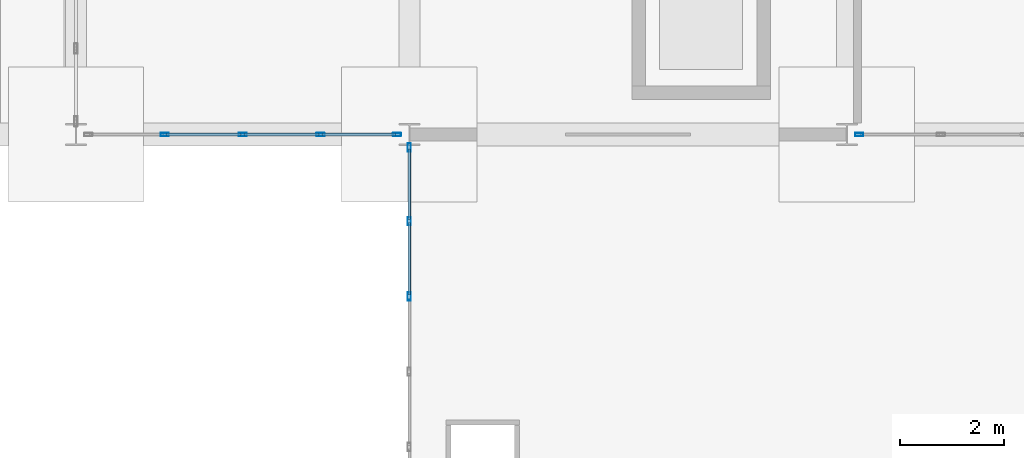
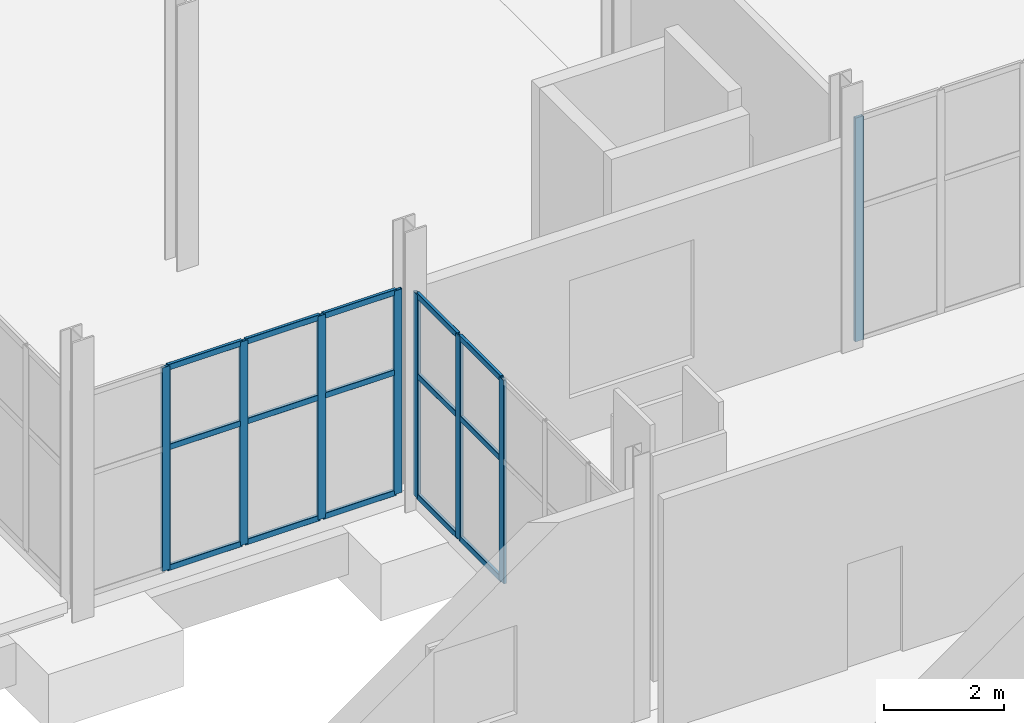
# One storey, part 24 of 95: 23 members, 3 elements without a shape of their own.
"""IFC4 building model written with IfcOpenShell, lengths in metres."""

from ifc_helpers import new_model, si_unit, direction, frame, origin, origin_2d, place, context, subcontext, project, spatial, hollow_rectangle, extrude, material, material_profile, profile_set, type_object, element, aggregate, save


model = new_model("IFC4")

# Units and contexts
model_context = context("Model", 3, precision=1e-05, world=origin(), true_north=direction((0.0, 1.0)))
body_context = subcontext(model_context, "Body", "Model", "MODEL_VIEW")
ifc_project = project(units=[si_unit("LENGTHUNIT", "METRE"), si_unit("AREAUNIT", "SQUARE_METRE"), si_unit("VOLUMEUNIT", "CUBIC_METRE"), si_unit("PLANEANGLEUNIT", "RADIAN"), si_unit("MASSUNIT", "GRAM", prefix="KILO")], contexts=[model_context])

# Site, building, storey
site_placement = place(None, origin())
site = spatial("IfcSite", under=ifc_project, at=site_placement, CompositionType="ELEMENT")
building_placement = place(site_placement, origin())
building = spatial("IfcBuilding", under=site, at=building_placement, Name="Shengluoqiao Park Theatre", CompositionType="ELEMENT")
storey_placement = place(building_placement, origin())
storey = spatial("IfcBuildingStorey", under=building, at=storey_placement, Name="L00", CompositionType="ELEMENT", Elevation=0.0)

# Curtain wall, members
ifc_material = material(Name="Aluminium 6063-T6", Category="aluminium")
curtain_wall_type_1 = type_object("IfcCurtainWallType", Name="ENV-CW-STUDIO", PredefinedType="NOTDEFINED", material=ifc_material)
curtain_wall_1_placement = place(storey_placement, origin())
curtain_wall_1 = element("IfcCurtainWall", 1, at=curtain_wall_1_placement, inside=storey, type_object=curtain_wall_type_1, Name="L00 Curtain Wall CWX-L00-0011", PredefinedType="NOTDEFINED")
ifc_material_profile_1 = material_profile(ifc_material, hollow_rectangle(XDim=0.06005859375, YDim=0.159912109375, WallThickness=0.00390625, InnerFilletRadius=0.00390625, OuterFilletRadius=0.008056640625, at=origin_2d()), Name="ALU MULLION 160x60x4")
ifc_profile_set_1 = profile_set([ifc_material_profile_1], Name="Aluminium 6063-T6")
member_type_1 = type_object("IfcMemberType", Name="ENV-MUL-160", PredefinedType="MULLION", material=ifc_profile_set_1)
member_1_placement = place(storey_placement, frame((14.503662109375, 30.39990234375, 0.0), z_axis=(0.0, 0.0, 1.0), x_axis=(0.0, 1.0, 0.0)))
member_1 = element("IfcMember", 2, at=member_1_placement, type_object=member_type_1, Name="CW-02 mullion 2", PredefinedType="MULLION", context=body_context, shape_type="SweptSolid", body=[
    extrude(hollow_rectangle(XDim=0.06005859375, YDim=0.159912109375, WallThickness=0.00390625, InnerFilletRadius=0.00390625, OuterFilletRadius=0.008056640625, at=origin_2d()), origin(), (0.0, 0.0, 1.0), 4.137939453125),
])
member_2_placement = place(storey_placement, frame((16.0, 30.39990234375, 0.0), z_axis=(0.0, 0.0, 1.0), x_axis=(0.0, 1.0, 0.0)))
member_2 = element("IfcMember", 3, at=member_2_placement, type_object=member_type_1, Name="CW-02 mullion 3", PredefinedType="MULLION", context=body_context, shape_type="SweptSolid", body=[
    extrude(hollow_rectangle(XDim=0.06005859375, YDim=0.159912109375, WallThickness=0.00390625, InnerFilletRadius=0.00390625, OuterFilletRadius=0.008056640625, at=origin_2d()), origin(), (0.0, 0.0, 1.0), 4.137939453125),
])
member_3_placement = place(storey_placement, frame((17.496337890625, 30.39990234375, 0.0), z_axis=(0.0, 0.0, 1.0), x_axis=(0.0, 1.0, 0.0)))
member_3 = element("IfcMember", 4, at=member_3_placement, type_object=member_type_1, Name="CW-02 mullion 4", PredefinedType="MULLION", context=body_context, shape_type="SweptSolid", body=[
    extrude(hollow_rectangle(XDim=0.06005859375, YDim=0.159912109375, WallThickness=0.00390625, InnerFilletRadius=0.00390625, OuterFilletRadius=0.008056640625, at=origin_2d()), origin(), (0.0, 0.0, 1.0), 4.137939453125),
])
member_4_placement = place(storey_placement, frame((18.96240234375, 30.39990234375, 0.0), z_axis=(0.0, 0.0, 1.0), x_axis=(0.0, 1.0, 0.0)))
member_4 = element("IfcMember", 5, at=member_4_placement, type_object=member_type_1, Name="CW-02 mullion 5", PredefinedType="MULLION", context=body_context, shape_type="SweptSolid", body=[
    extrude(hollow_rectangle(XDim=0.06005859375, YDim=0.159912109375, WallThickness=0.00390625, InnerFilletRadius=0.00390625, OuterFilletRadius=0.008056640625, at=origin_2d()), origin(), (0.0, 0.0, 1.0), 4.137939453125),
])

# Curtain wall, member
curtain_wall_2_placement = place(storey_placement, origin())
curtain_wall_2 = element("IfcCurtainWall", 6, at=curtain_wall_2_placement, inside=storey, type_object=curtain_wall_type_1, Name="L00 Curtain Wall CWX-L00-0012", PredefinedType="NOTDEFINED")
member_5_placement = place(storey_placement, frame((27.83740234375, 30.39990234375, 0.0), z_axis=(0.0, 0.0, 1.0), x_axis=(0.0, 1.0, 0.0)))
member_5 = element("IfcMember", 7, at=member_5_placement, type_object=member_type_1, Name="CW-02 mullion 1", PredefinedType="MULLION", context=body_context, shape_type="SweptSolid", body=[
    extrude(hollow_rectangle(XDim=0.06005859375, YDim=0.159912109375, WallThickness=0.00390625, InnerFilletRadius=0.00390625, OuterFilletRadius=0.008056640625, at=origin_2d()), origin(), (0.0, 0.0, 1.0), 4.550048828125),
])
aggregate(curtain_wall_2, [member_5])

# Curtain wall, members
curtain_wall_type_2 = type_object("IfcCurtainWallType", Name="ENV-CW-COURT", PredefinedType="NOTDEFINED", material=ifc_material)
curtain_wall_3_placement = place(storey_placement, origin())
curtain_wall_3 = element("IfcCurtainWall", 8, at=curtain_wall_3_placement, inside=storey, type_object=curtain_wall_type_2, Name="L00 Curtain Wall CWX-L00-0153", PredefinedType="NOTDEFINED")
member_6_placement = place(storey_placement, frame((19.199951171875, 27.290771484375, 0.0), z_axis=(0.0, 0.0, 1.0), x_axis=(-1.0, 0.0, 0.0)))
member_6 = element("IfcMember", 9, at=member_6_placement, type_object=member_type_1, Name="CW-05 mullion 4", PredefinedType="MULLION", context=body_context, shape_type="SweptSolid", body=[
    extrude(hollow_rectangle(XDim=0.06005859375, YDim=0.159912109375, WallThickness=0.00390625, InnerFilletRadius=0.00390625, OuterFilletRadius=0.008056640625, at=origin_2d()), origin(), (0.0, 0.0, 1.0), 4.137939453125),
])
member_7_placement = place(storey_placement, frame((19.199951171875, 28.736328125, 0.0), z_axis=(0.0, 0.0, 1.0), x_axis=(-1.0, 0.0, 0.0)))
member_7 = element("IfcMember", 10, at=member_7_placement, type_object=member_type_1, Name="CW-05 mullion 5", PredefinedType="MULLION", context=body_context, shape_type="SweptSolid", body=[
    extrude(hollow_rectangle(XDim=0.06005859375, YDim=0.159912109375, WallThickness=0.00390625, InnerFilletRadius=0.00390625, OuterFilletRadius=0.008056640625, at=origin_2d()), origin(), (0.0, 0.0, 1.0), 4.137939453125),
])
member_8_placement = place(storey_placement, frame((19.199951171875, 30.152099609375, 0.0), z_axis=(0.0, 0.0, 1.0), x_axis=(-1.0, 0.0, 0.0)))
member_8 = element("IfcMember", 11, at=member_8_placement, type_object=member_type_1, Name="CW-05 mullion 6", PredefinedType="MULLION", context=body_context, shape_type="SweptSolid", body=[
    extrude(hollow_rectangle(XDim=0.06005859375, YDim=0.159912109375, WallThickness=0.00390625, InnerFilletRadius=0.00390625, OuterFilletRadius=0.008056640625, at=origin_2d()), origin(), (0.0, 0.0, 1.0), 4.137939453125),
])

# Member
ifc_material_profile_2 = material_profile(ifc_material, hollow_rectangle(XDim=0.06005859375, YDim=0.1201171875, WallThickness=0.00390625, InnerFilletRadius=0.00390625, OuterFilletRadius=0.008056640625, at=origin_2d()), Name="ALU TRANSOM 120x60x4")
ifc_profile_set_2 = profile_set([ifc_material_profile_2], Name="Aluminium 6063-T6")
member_type_2 = type_object("IfcMemberType", Name="ENV-TRN-120", PredefinedType="USERDEFINED", material=ifc_profile_set_2)
member_9_placement = place(storey_placement, frame((14.53369140625, 30.39990234375, 0.030029296875), z_axis=(1.0, 0.0, 0.0), x_axis=(0.0, 1.0, 0.0)))
member_9 = element("IfcMember", 12, at=member_9_placement, type_object=member_type_2, Name="CW-02 transom 2.1", ObjectType="TRANSOM", PredefinedType="USERDEFINED", context=body_context, shape_type="SweptSolid", body=[
    extrude(hollow_rectangle(XDim=0.06005859375, YDim=0.1201171875, WallThickness=0.00390625, InnerFilletRadius=0.00390625, OuterFilletRadius=0.008056640625, at=origin_2d()), origin(), (0.0, 0.0, 1.0), 1.436279296875),
])

member_10_placement = place(storey_placement, frame((14.53369140625, 30.39990234375, 2.48291015625), z_axis=(1.0, 0.0, 0.0), x_axis=(0.0, 1.0, 0.0)))
member_10 = element("IfcMember", 13, at=member_10_placement, type_object=member_type_2, Name="CW-02 transom 2.2", ObjectType="TRANSOM", PredefinedType="USERDEFINED", context=body_context, shape_type="SweptSolid", body=[
    extrude(hollow_rectangle(XDim=0.06005859375, YDim=0.1201171875, WallThickness=0.00390625, InnerFilletRadius=0.00390625, OuterFilletRadius=0.008056640625, at=origin_2d()), origin(), (0.0, 0.0, 1.0), 1.436279296875),
])

member_11_placement = place(storey_placement, frame((14.53369140625, 30.39990234375, 4.10791015625), z_axis=(1.0, 0.0, 0.0), x_axis=(0.0, 1.0, 0.0)))
member_11 = element("IfcMember", 14, at=member_11_placement, type_object=member_type_2, Name="CW-02 transom 2.3", ObjectType="TRANSOM", PredefinedType="USERDEFINED", context=body_context, shape_type="SweptSolid", body=[
    extrude(hollow_rectangle(XDim=0.06005859375, YDim=0.1201171875, WallThickness=0.00390625, InnerFilletRadius=0.00390625, OuterFilletRadius=0.008056640625, at=origin_2d()), origin(), (0.0, 0.0, 1.0), 1.436279296875),
])

member_12_placement = place(storey_placement, frame((16.030029296875, 30.39990234375, 0.030029296875), z_axis=(1.0, 0.0, 0.0), x_axis=(0.0, 1.0, 0.0)))
member_12 = element("IfcMember", 15, at=member_12_placement, type_object=member_type_2, Name="CW-02 transom 3.1", ObjectType="TRANSOM", PredefinedType="USERDEFINED", context=body_context, shape_type="SweptSolid", body=[
    extrude(hollow_rectangle(XDim=0.06005859375, YDim=0.1201171875, WallThickness=0.00390625, InnerFilletRadius=0.00390625, OuterFilletRadius=0.008056640625, at=origin_2d()), origin(), (0.0, 0.0, 1.0), 1.436279296875),
])

member_13_placement = place(storey_placement, frame((16.030029296875, 30.39990234375, 2.48291015625), z_axis=(1.0, 0.0, 0.0), x_axis=(0.0, 1.0, 0.0)))
member_13 = element("IfcMember", 16, at=member_13_placement, type_object=member_type_2, Name="CW-02 transom 3.2", ObjectType="TRANSOM", PredefinedType="USERDEFINED", context=body_context, shape_type="SweptSolid", body=[
    extrude(hollow_rectangle(XDim=0.06005859375, YDim=0.1201171875, WallThickness=0.00390625, InnerFilletRadius=0.00390625, OuterFilletRadius=0.008056640625, at=origin_2d()), origin(), (0.0, 0.0, 1.0), 1.436279296875),
])

member_14_placement = place(storey_placement, frame((16.030029296875, 30.39990234375, 4.10791015625), z_axis=(1.0, 0.0, 0.0), x_axis=(0.0, 1.0, 0.0)))
member_14 = element("IfcMember", 17, at=member_14_placement, type_object=member_type_2, Name="CW-02 transom 3.3", ObjectType="TRANSOM", PredefinedType="USERDEFINED", context=body_context, shape_type="SweptSolid", body=[
    extrude(hollow_rectangle(XDim=0.06005859375, YDim=0.1201171875, WallThickness=0.00390625, InnerFilletRadius=0.00390625, OuterFilletRadius=0.008056640625, at=origin_2d()), origin(), (0.0, 0.0, 1.0), 1.436279296875),
])

member_15_placement = place(storey_placement, frame((17.5263671875, 30.39990234375, 0.030029296875), z_axis=(1.0, 0.0, 0.0), x_axis=(0.0, 1.0, 0.0)))
member_15 = element("IfcMember", 18, at=member_15_placement, type_object=member_type_2, Name="CW-02 transom 4.1", ObjectType="TRANSOM", PredefinedType="USERDEFINED", context=body_context, shape_type="SweptSolid", body=[
    extrude(hollow_rectangle(XDim=0.06005859375, YDim=0.1201171875, WallThickness=0.00390625, InnerFilletRadius=0.00390625, OuterFilletRadius=0.008056640625, at=origin_2d()), origin(), (0.0, 0.0, 1.0), 1.40625),
])

member_16_placement = place(storey_placement, frame((17.5263671875, 30.39990234375, 2.48291015625), z_axis=(1.0, 0.0, 0.0), x_axis=(0.0, 1.0, 0.0)))
member_16 = element("IfcMember", 19, at=member_16_placement, type_object=member_type_2, Name="CW-02 transom 4.2", ObjectType="TRANSOM", PredefinedType="USERDEFINED", context=body_context, shape_type="SweptSolid", body=[
    extrude(hollow_rectangle(XDim=0.06005859375, YDim=0.1201171875, WallThickness=0.00390625, InnerFilletRadius=0.00390625, OuterFilletRadius=0.008056640625, at=origin_2d()), origin(), (0.0, 0.0, 1.0), 1.40625),
])

member_17_placement = place(storey_placement, frame((17.5263671875, 30.39990234375, 4.10791015625), z_axis=(1.0, 0.0, 0.0), x_axis=(0.0, 1.0, 0.0)))
member_17 = element("IfcMember", 20, at=member_17_placement, type_object=member_type_2, Name="CW-02 transom 4.3", ObjectType="TRANSOM", PredefinedType="USERDEFINED", context=body_context, shape_type="SweptSolid", body=[
    extrude(hollow_rectangle(XDim=0.06005859375, YDim=0.1201171875, WallThickness=0.00390625, InnerFilletRadius=0.00390625, OuterFilletRadius=0.008056640625, at=origin_2d()), origin(), (0.0, 0.0, 1.0), 1.40625),
])

aggregate(curtain_wall_1, [member_1, member_2, member_3, member_4, member_9, member_10, member_11, member_12, member_13, member_14, member_15, member_16, member_17])

member_18_placement = place(storey_placement, frame((19.199951171875, 27.32080078125, 0.030029296875), z_axis=(0.0, 1.0, 0.0), x_axis=(-1.0, 0.0, 0.0)))
member_18 = element("IfcMember", 21, at=member_18_placement, type_object=member_type_2, Name="CW-05 transom 4.1", ObjectType="TRANSOM", PredefinedType="USERDEFINED", context=body_context, shape_type="SweptSolid", body=[
    extrude(hollow_rectangle(XDim=0.06005859375, YDim=0.1201171875, WallThickness=0.00390625, InnerFilletRadius=0.00390625, OuterFilletRadius=0.008056640625, at=origin_2d()), origin(), (0.0, 0.0, 1.0), 1.385498046875),
])

member_19_placement = place(storey_placement, frame((19.199951171875, 27.32080078125, 2.48291015625), z_axis=(0.0, 1.0, 0.0), x_axis=(-1.0, 0.0, 0.0)))
member_19 = element("IfcMember", 22, at=member_19_placement, type_object=member_type_2, Name="CW-05 transom 4.2", ObjectType="TRANSOM", PredefinedType="USERDEFINED", context=body_context, shape_type="SweptSolid", body=[
    extrude(hollow_rectangle(XDim=0.06005859375, YDim=0.1201171875, WallThickness=0.00390625, InnerFilletRadius=0.00390625, OuterFilletRadius=0.008056640625, at=origin_2d()), origin(), (0.0, 0.0, 1.0), 1.385498046875),
])

member_20_placement = place(storey_placement, frame((19.199951171875, 27.32080078125, 4.10791015625), z_axis=(0.0, 1.0, 0.0), x_axis=(-1.0, 0.0, 0.0)))
member_20 = element("IfcMember", 23, at=member_20_placement, type_object=member_type_2, Name="CW-05 transom 4.3", ObjectType="TRANSOM", PredefinedType="USERDEFINED", context=body_context, shape_type="SweptSolid", body=[
    extrude(hollow_rectangle(XDim=0.06005859375, YDim=0.1201171875, WallThickness=0.00390625, InnerFilletRadius=0.00390625, OuterFilletRadius=0.008056640625, at=origin_2d()), origin(), (0.0, 0.0, 1.0), 1.385498046875),
])

member_21_placement = place(storey_placement, frame((19.199951171875, 28.766357421875, 0.030029296875), z_axis=(0.0, 1.0, 0.0), x_axis=(-1.0, 0.0, 0.0)))
member_21 = element("IfcMember", 24, at=member_21_placement, type_object=member_type_2, Name="CW-05 transom 5.1", ObjectType="TRANSOM", PredefinedType="USERDEFINED", context=body_context, shape_type="SweptSolid", body=[
    extrude(hollow_rectangle(XDim=0.06005859375, YDim=0.1201171875, WallThickness=0.00390625, InnerFilletRadius=0.00390625, OuterFilletRadius=0.008056640625, at=origin_2d()), origin(), (0.0, 0.0, 1.0), 1.355712890625),
])

member_22_placement = place(storey_placement, frame((19.199951171875, 28.766357421875, 2.48291015625), z_axis=(0.0, 1.0, 0.0), x_axis=(-1.0, 0.0, 0.0)))
member_22 = element("IfcMember", 25, at=member_22_placement, type_object=member_type_2, Name="CW-05 transom 5.2", ObjectType="TRANSOM", PredefinedType="USERDEFINED", context=body_context, shape_type="SweptSolid", body=[
    extrude(hollow_rectangle(XDim=0.06005859375, YDim=0.1201171875, WallThickness=0.00390625, InnerFilletRadius=0.00390625, OuterFilletRadius=0.008056640625, at=origin_2d()), origin(), (0.0, 0.0, 1.0), 1.355712890625),
])

member_23_placement = place(storey_placement, frame((19.199951171875, 28.766357421875, 4.10791015625), z_axis=(0.0, 1.0, 0.0), x_axis=(-1.0, 0.0, 0.0)))
member_23 = element("IfcMember", 26, at=member_23_placement, type_object=member_type_2, Name="CW-05 transom 5.3", ObjectType="TRANSOM", PredefinedType="USERDEFINED", context=body_context, shape_type="SweptSolid", body=[
    extrude(hollow_rectangle(XDim=0.06005859375, YDim=0.1201171875, WallThickness=0.00390625, InnerFilletRadius=0.00390625, OuterFilletRadius=0.008056640625, at=origin_2d()), origin(), (0.0, 0.0, 1.0), 1.355712890625),
])

aggregate(curtain_wall_3, [member_6, member_7, member_8, member_18, member_19, member_20, member_21, member_22, member_23])

save(model, "model.ifc")
